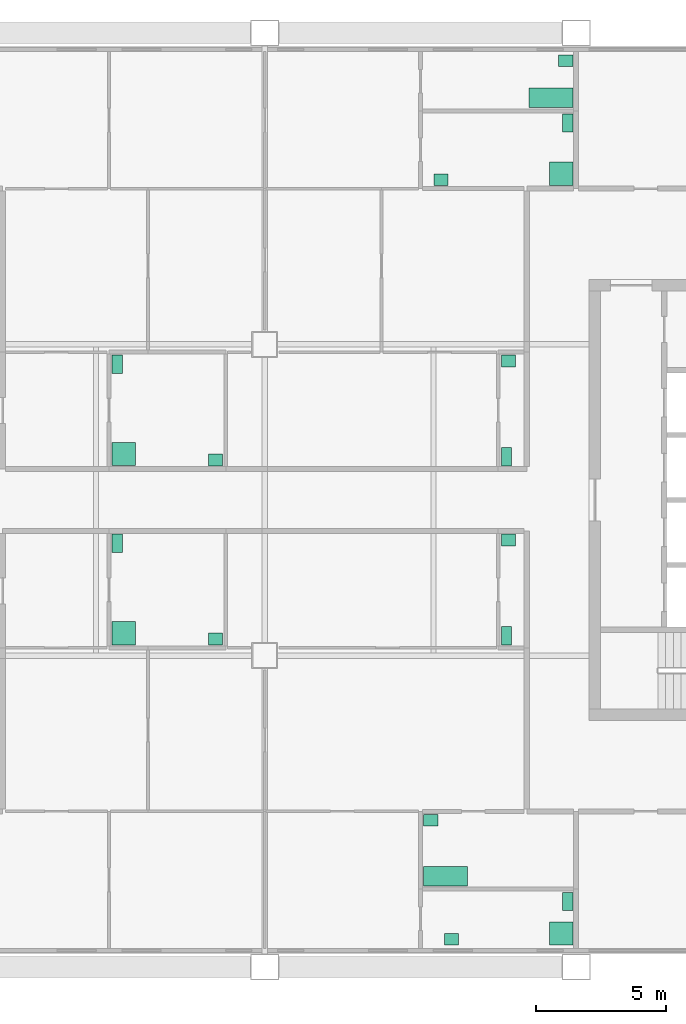
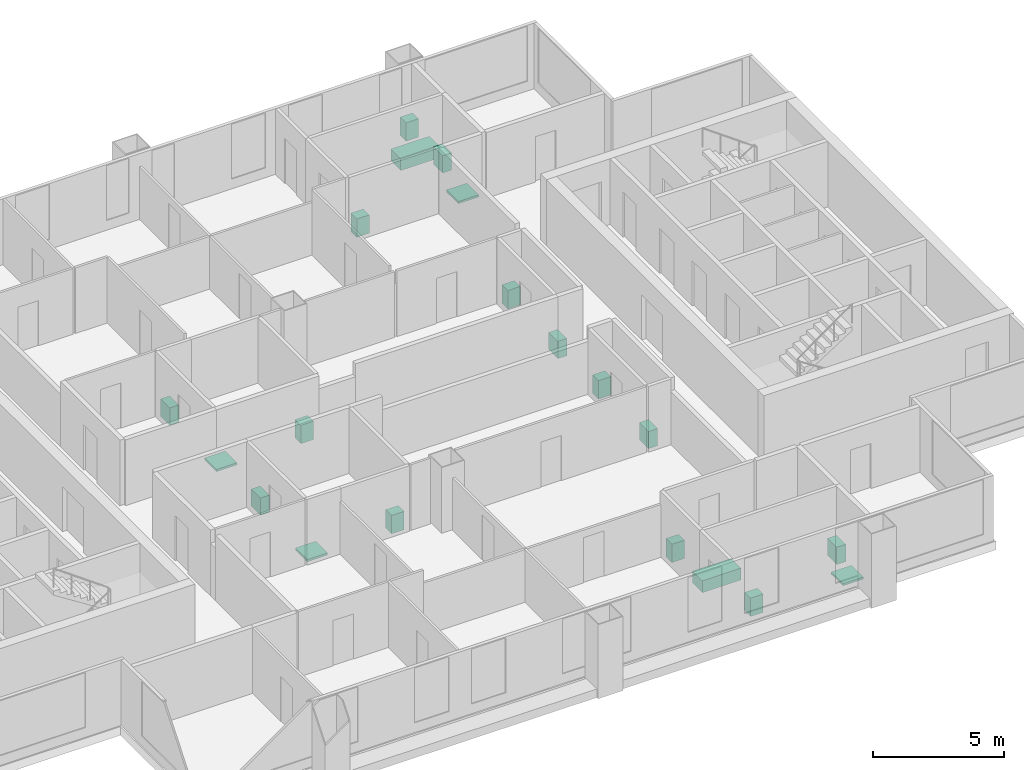
# One storey, part 8 of 8: 20 sanitary terminals.
"""IFC4 building model written with IfcOpenShell, lengths in metres."""

from ifc_helpers import new_model, si_unit, direction, frame, origin, origin_2d, place, context, subcontext, project, spatial, rectangle, extrude, material, type_object, element, save


model = new_model("IFC4")

# Units and contexts
model_context = context("Model", 3, precision=1e-05, world=origin(), true_north=direction((0.0, 1.0)))
body_context = subcontext(model_context, "Body", "Model", "MODEL_VIEW")
ifc_project = project(units=[si_unit("LENGTHUNIT", "METRE"), si_unit("AREAUNIT", "SQUARE_METRE"), si_unit("VOLUMEUNIT", "CUBIC_METRE"), si_unit("PLANEANGLEUNIT", "RADIAN"), si_unit("MASSUNIT", "GRAM", prefix="KILO")], contexts=[model_context])

# Site, building, storey
site_placement = place(None, origin())
site = spatial("IfcSite", under=ifc_project, at=site_placement, CompositionType="ELEMENT")
building_placement = place(site_placement, origin())
building = spatial("IfcBuilding", under=site, at=building_placement, Name="Kitamizu Gate Tower and Museum", CompositionType="ELEMENT")
storey_placement = place(building_placement, frame((0.0, 0.0, 231.75)))
storey = spatial("IfcBuildingStorey", under=building, at=storey_placement, Name="L62", CompositionType="ELEMENT", Elevation=231.75)

# Sanitary terminals
ifc_material_1 = material(Name="Acrylic")
sanitary_terminal_type_1 = type_object("IfcSanitaryTerminalType", Name="Bath", PredefinedType="BATH", material=ifc_material_1)
for number, where, z_axis, x_axis, name in (
    (1, (42.969970703125, 15.4951171875, 0.0009765625), (0.0, 0.0, 1.0), (1.0, 0.0, 0.0), "Bath Bathroom 62A"),
    (2, (47.030029296875, 45.4951171875, 0.0009765625), (0.0, 0.0, 1.0), (1.0, 0.0, 0.0), "Bath Bathroom 62B"),
):
    element("IfcSanitaryTerminal", number, at=place(storey_placement, frame(where, z_axis=z_axis, x_axis=x_axis)), inside=storey, type_object=sanitary_terminal_type_1, Name=name, PredefinedType="BATH", context=body_context, shape_type="SweptSolid", body=[
        extrude(rectangle(XDim=1.699951171875, YDim=0.75, at=origin_2d()), origin(), (0.0, 0.0, 1.0), 0.550048828125),
    ])
ifc_material_2 = material(Name="Acrylic")
sanitary_terminal_type_2 = type_object("IfcSanitaryTerminalType", Name="Shower tray", PredefinedType="SHOWER", material=ifc_material_2)
for number, where, z_axis, x_axis, name in (
    (3, (47.429931640625, 13.2900390625, 0.0009765625), (0.0, 0.0, 1.0), (1.0, 0.0, 0.0), "Shower tray En-suite bathroom 62A"),
    (4, (30.570068359375, 24.8701171875, 0.0009765625), (0.0, 0.0, 1.0), (1.0, 0.0, 0.0), "Shower tray En-suite bathroom 62A"),
    (5, (47.429931640625, 42.570068359375, 0.0009765625), (0.0, 0.0, 1.0), (1.0, 0.0, 0.0), "Shower tray En-suite bathroom 62B"),
    (6, (30.570068359375, 31.77001953125, 0.0009765625), (0.0, 0.0, 1.0), (1.0, 0.0, 0.0), "Shower tray En-suite bathroom 62B"),
):
    element("IfcSanitaryTerminal", number, at=place(storey_placement, frame(where, z_axis=z_axis, x_axis=x_axis)), inside=storey, type_object=sanitary_terminal_type_2, Name=name, PredefinedType="SHOWER", context=body_context, shape_type="SweptSolid", body=[
        extrude(rectangle(XDim=0.89990234375, YDim=0.89990234375, at=origin_2d()), origin(), (0.0, 0.0, 1.0), 0.10009765625),
    ])
ifc_material_3 = material(Name="Vitreous china")
sanitary_terminal_type_3 = type_object("IfcSanitaryTerminalType", Name="Wash hand basin", PredefinedType="WASHHANDBASIN", material=ifc_material_3)
for number, where, z_axis, x_axis, name in (
    (7, (43.195068359375, 13.06494140625, 0.0009765625), (0.0, 0.0, 1.0), (1.0, 0.0, 0.0), "Wash hand basin En-suite bathroom 62A"),
    (8, (42.39501953125, 17.655029296875, 0.0009765625), (0.0, 0.0, 1.0), (1.0, 0.0, 0.0), "Wash hand basin Bathroom 62A"),
    (9, (34.10498046875, 24.64501953125, 0.0009765625), (0.0, 0.0, 1.0), (1.0, 0.0, 0.0), "Wash hand basin En-suite bathroom 62A"),
    (10, (45.39501953125, 28.455078125, 0.0009765625), (0.0, 0.0, 1.0), (1.0, 0.0, 0.0), "Wash hand basin WC 62A"),
    (11, (42.794921875, 42.344970703125, 0.0009765625), (0.0, 0.0, 1.0), (1.0, 0.0, 0.0), "Wash hand basin En-suite bathroom 62B"),
    (12, (47.60498046875, 46.93505859375, 0.0009765625), (0.0, 0.0, 1.0), (1.0, 0.0, 0.0), "Wash hand basin Bathroom 62B"),
    (13, (34.10498046875, 31.544921875, 0.0009765625), (0.0, 0.0, 1.0), (1.0, 0.0, 0.0), "Wash hand basin En-suite bathroom 62B"),
    (14, (45.39501953125, 35.35498046875, 0.0009765625), (0.0, 0.0, 1.0), (1.0, 0.0, 0.0), "Wash hand basin WC 62B"),
):
    element("IfcSanitaryTerminal", number, at=place(storey_placement, frame(where, z_axis=z_axis, x_axis=x_axis)), inside=storey, type_object=sanitary_terminal_type_3, Name=name, PredefinedType="WASHHANDBASIN", context=body_context, shape_type="SweptSolid", body=[
        extrude(rectangle(XDim=0.550048828125, YDim=0.449951171875, at=origin_2d()), origin(), (0.0, 0.0, 1.0), 0.85009765625),
    ])
ifc_material_4 = material(Name="Vitreous china")
sanitary_terminal_type_4 = type_object("IfcSanitaryTerminalType", Name="Water closet", PredefinedType="TOILETPAN", material=ifc_material_4)
for number, where, z_axis, x_axis, name in (
    (15, (47.679931640625, 14.530029296875, 0.0009765625), (0.0, 0.0, 1.0), (1.0, 0.0, 0.0), "Water closet En-suite bathroom 62A"),
    (16, (30.320068359375, 28.330078125, 0.0009765625), (0.0, 0.0, 1.0), (1.0, 0.0, 0.0), "Water closet En-suite bathroom 62A"),
    (17, (45.320068359375, 24.77001953125, 0.0009765625), (0.0, 0.0, 1.0), (1.0, 0.0, 0.0), "Water closet WC 62A"),
    (18, (47.679931640625, 44.530029296875, 0.0009765625), (0.0, 0.0, 1.0), (1.0, 0.0, 0.0), "Water closet En-suite bathroom 62B"),
    (19, (30.320068359375, 35.22998046875, 0.0009765625), (0.0, 0.0, 1.0), (1.0, 0.0, 0.0), "Water closet En-suite bathroom 62B"),
    (20, (45.320068359375, 31.669921875, 0.0009765625), (0.0, 0.0, 1.0), (1.0, 0.0, 0.0), "Water closet WC 62B"),
):
    element("IfcSanitaryTerminal", number, at=place(storey_placement, frame(where, z_axis=z_axis, x_axis=x_axis)), inside=storey, type_object=sanitary_terminal_type_4, Name=name, PredefinedType="TOILETPAN", context=body_context, shape_type="SweptSolid", body=[
        extrude(rectangle(XDim=0.39990234375, YDim=0.699951171875, at=origin_2d()), origin(), (0.0, 0.0, 1.0), 0.800048828125),
    ])

save(model, "model.ifc")
